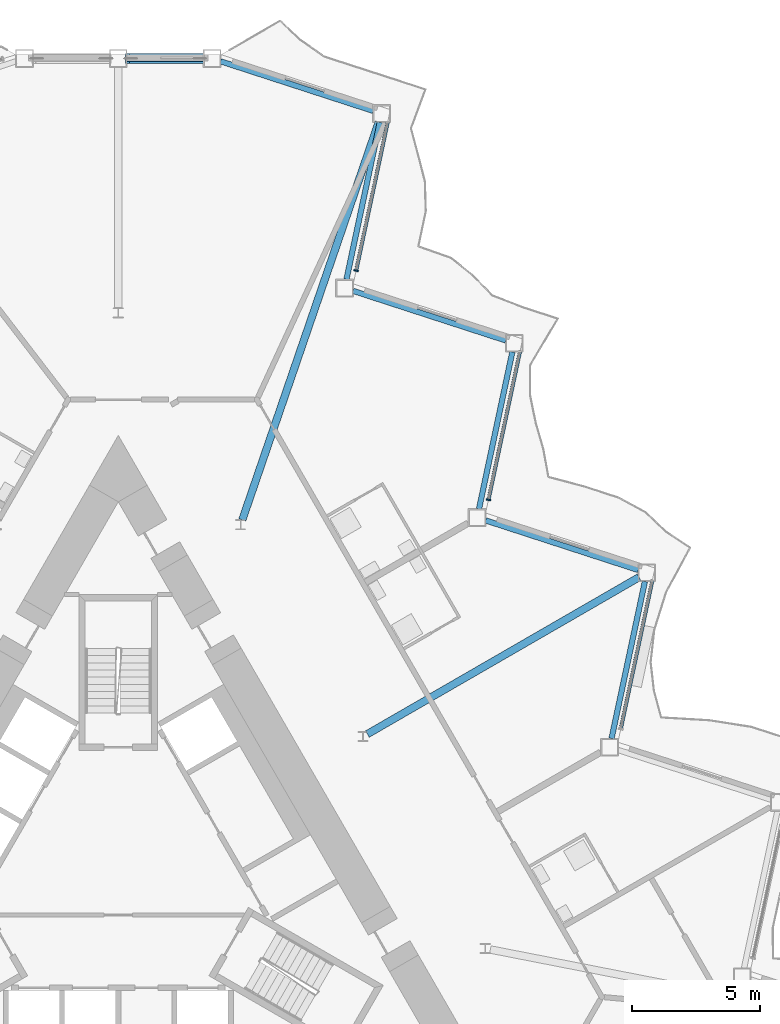
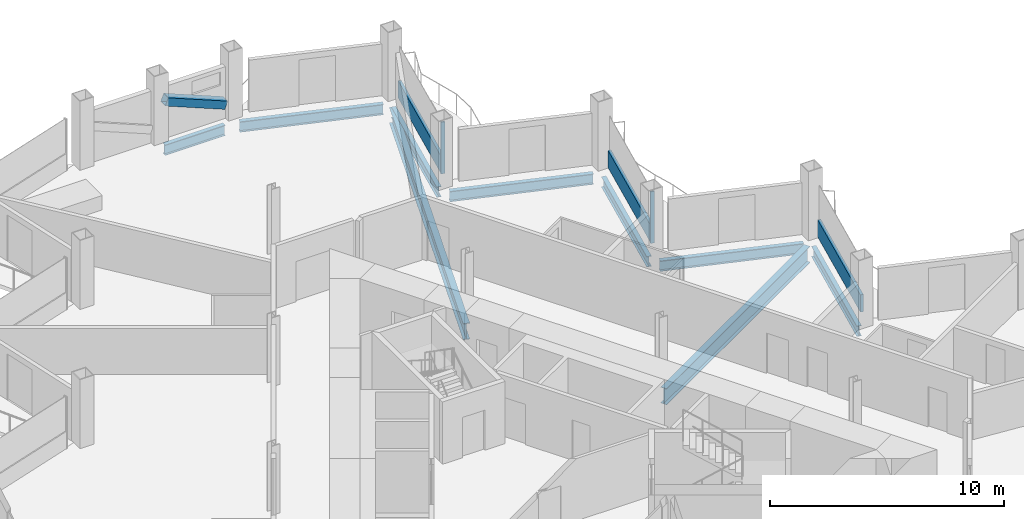
# One storey, part 9 of 23: 9 beams, 6 members, 3 elements without a shape of their own.
"""IFC4 building model written with IfcOpenShell, lengths in metres."""

from ifc_helpers import new_model, si_unit, direction, frame, origin, origin_2d, place, context, subcontext, project, spatial, rectangle, hollow_rectangle, i_section, extrude, material, layer, layer_set, material_profile, profile_set, type_object, element, aggregate, save


model = new_model("IFC4")

# Units and contexts
model_context = context("Model", 3, precision=1e-05, world=origin(), true_north=direction((0.0, 1.0)))
body_context = subcontext(model_context, "Body", "Model", "MODEL_VIEW")
ifc_project = project(units=[si_unit("LENGTHUNIT", "METRE"), si_unit("AREAUNIT", "SQUARE_METRE"), si_unit("VOLUMEUNIT", "CUBIC_METRE"), si_unit("PLANEANGLEUNIT", "RADIAN"), si_unit("MASSUNIT", "GRAM", prefix="KILO")], contexts=[model_context])

# Site, building, storey
site_placement = place(None, origin())
site = spatial("IfcSite", under=ifc_project, at=site_placement, CompositionType="ELEMENT")
building_placement = place(site_placement, origin())
building = spatial("IfcBuilding", under=site, at=building_placement, Name="Cormorant Prow Tower", CompositionType="ELEMENT")
storey_placement = place(building_placement, frame((0.0, 0.0, 256.199951171875)))
storey = spatial("IfcBuildingStorey", under=building, at=storey_placement, Name="L57", CompositionType="ELEMENT", Elevation=256.199951171875)

# Member
ifc_material_1 = material(Name="Structural steel ASTM A500 Gr C", Category="steel")
ifc_material_profile_1 = material_profile(ifc_material_1, hollow_rectangle(XDim=0.406494140625, YDim=0.406494140625, WallThickness=0.01171875, at=origin_2d()), Name="HSS16x16x1/2")
ifc_profile_set_1 = profile_set([ifc_material_profile_1], Name="Structural steel ASTM A500 Gr C")
member_type_1 = type_object("IfcMemberType", Name="Chamfer brace HSS16x16x1/2", PredefinedType="BRACE", material=ifc_profile_set_1)
member_1_placement = place(storey_placement, frame((3.3046875, 32.073486328125, 0.74951171875), z_axis=(-0.925591042089, 0.0, 0.37852506232), x_axis=(0.0, -1.0, 0.0)))
element("IfcMember", 1, at=member_1_placement, inside=storey, type_object=member_type_1, Name="Chamfer brace BR2 at N00 L57", PredefinedType="BRACE", context=body_context, shape_type="SweptSolid", body=[
    extrude(hollow_rectangle(XDim=0.406494140625, YDim=0.406494140625, WallThickness=0.01171875, at=origin_2d()), origin(), (0.0, 0.0, 1.0), 3.17529296875),
])

# Curtain wall, member
ifc_material_2 = material(Name="Aluminium 6063-T6", Category="aluminium")
ifc_layer = layer(ifc_material_2, 0.179931640625)
ifc_layer_set = layer_set([ifc_layer], Name="Aluminium 6063-T6")
curtain_wall_type = type_object("IfcCurtainWallType", Name="Hotel unitised curtain wall 180", PredefinedType="NOTDEFINED", material=ifc_layer_set)
curtain_wall_1_placement = place(storey_placement, origin())
curtain_wall_1 = element("IfcCurtainWall", 2, at=curtain_wall_1_placement, inside=storey, type_object=curtain_wall_type, Name="Hotel curtain wall ENE06", PredefinedType="NOTDEFINED")
ifc_material_3 = material(Name="Aluminium 6063-T6", Category="aluminium")
ifc_material_profile_2 = material_profile(ifc_material_3, rectangle(XDim=0.179931640625, YDim=0.06005859375, at=origin_2d()), Name="Hotel mullion 60x180")
ifc_profile_set_2 = profile_set([ifc_material_profile_2], Name="Aluminium 6063-T6")
member_type_2 = type_object("IfcMemberType", Name="Hotel mullion 60x180", PredefinedType="MULLION", material=ifc_profile_set_2)
member_2_placement = place(storey_placement, frame((14.489013671875, 14.8017578125, 0.0), z_axis=(0.0, 0.0, 1.0), x_axis=(-0.978147572038, 0.207911825822, 0.0)))
member_2 = element("IfcMember", 3, at=member_2_placement, type_object=member_type_2, Name="Hotel mullion ENE06", PredefinedType="MULLION", context=body_context, shape_type="SweptSolid", body=[
    extrude(rectangle(XDim=0.179931640625, YDim=0.06005859375, at=origin_2d()), origin(), (0.0, 0.0, 1.0), 2.700927734375),
])

curtain_wall_2_placement = place(storey_placement, origin())
curtain_wall_2 = element("IfcCurtainWall", 4, at=curtain_wall_2_placement, inside=storey, type_object=curtain_wall_type, Name="Hotel curtain wall ENE08", PredefinedType="NOTDEFINED")
member_3_placement = place(storey_placement, frame((9.3095703125, 23.77294921875, 0.0), z_axis=(0.0, 0.0, 1.0), x_axis=(-0.978147601216, 0.207911688547, 0.0)))
member_3 = element("IfcMember", 5, at=member_3_placement, type_object=member_type_2, Name="Hotel mullion ENE08", PredefinedType="MULLION", context=body_context, shape_type="SweptSolid", body=[
    extrude(rectangle(XDim=0.179931640625, YDim=0.06005859375, at=origin_2d()), origin(), (0.0, 0.0, 1.0), 2.700927734375),
])

curtain_wall_3_placement = place(storey_placement, origin())
curtain_wall_3 = element("IfcCurtainWall", 6, at=curtain_wall_3_placement, inside=storey, type_object=curtain_wall_type, Name="Hotel curtain wall ENE04", PredefinedType="NOTDEFINED")
ifc_material_4 = material(Name="Terracotta", Category="masonry")
ifc_material_profile_3 = material_profile(ifc_material_4, rectangle(XDim=0.139892578125, YDim=0.89990234375, at=origin_2d()), Name="Hotel terracotta spandrel rail 140x900")
ifc_profile_set_3 = profile_set([ifc_material_profile_3], Name="Terracotta")
member_type_3 = type_object("IfcMemberType", Name="Hotel terracotta spandrel rail 140x900", PredefinedType="USERDEFINED", material=ifc_profile_set_3)
member_4_placement = place(storey_placement, frame((19.6748046875, 5.85986328125, 0.449951171875), z_axis=(0.20791164107, 0.978147611308, 0.0), x_axis=(-0.978147611308, 0.20791164107, 0.0)))
member_4 = element("IfcMember", 7, at=member_4_placement, type_object=member_type_3, Name="Hotel spandrel rail ENE04", ObjectType="TRANSOM", PredefinedType="USERDEFINED", context=body_context, shape_type="SweptSolid", body=[
    extrude(rectangle(XDim=0.139892578125, YDim=0.89990234375, at=origin_2d()), origin(), (0.0, 0.0, 1.0), 5.90771484375),
])
aggregate(curtain_wall_3, [member_4])

# Member
member_5_placement = place(storey_placement, frame((14.495361328125, 14.8310546875, 0.449951171875), z_axis=(0.20791164107, 0.978147611308, 0.0), x_axis=(-0.978147611308, 0.20791164107, 0.0)))
member_5 = element("IfcMember", 8, at=member_5_placement, type_object=member_type_3, Name="Hotel spandrel rail ENE06", ObjectType="TRANSOM", PredefinedType="USERDEFINED", context=body_context, shape_type="SweptSolid", body=[
    extrude(rectangle(XDim=0.139892578125, YDim=0.89990234375, at=origin_2d()), origin(), (0.0, 0.0, 1.0), 5.90771484375),
])

aggregate(curtain_wall_1, [member_2, member_5])

member_6_placement = place(storey_placement, frame((9.31591796875, 23.80224609375, 0.449951171875), z_axis=(0.20791164107, 0.978147611308, 0.0), x_axis=(-0.978147611308, 0.20791164107, 0.0)))
member_6 = element("IfcMember", 9, at=member_6_placement, type_object=member_type_3, Name="Hotel spandrel rail ENE08", ObjectType="TRANSOM", PredefinedType="USERDEFINED", context=body_context, shape_type="SweptSolid", body=[
    extrude(rectangle(XDim=0.139892578125, YDim=0.89990234375, at=origin_2d()), origin(), (0.0, 0.0, 1.0), 5.90771484375),
])

aggregate(curtain_wall_2, [member_3, member_6])

# Beams
ifc_material_5 = material(Name="Structural steel ASTM A992 Gr 50", Category="steel")
ifc_material_profile_4 = material_profile(ifc_material_5, i_section(OverallWidth=0.29296875, OverallDepth=0.845703125, WebThickness=0.015380859375, FlangeThickness=0.0244140625, at=origin_2d()), Name="W33x141")
ifc_profile_set_4 = profile_set([ifc_material_profile_4], Name="Structural steel ASTM A992 Gr 50")
beam_type_1 = type_object("IfcBeamType", Name="Radial floor beam W33x141", PredefinedType="BEAM", material=ifc_profile_set_4)
beam_1_placement = place(storey_placement, frame((9.751220703125, 5.6298828125, -0.77294921875), z_axis=(0.866021995826, 0.500005902711, 0.0), x_axis=(-0.500005902711, 0.866021995826, 0.0)))
element("IfcBeam", 10, at=beam_1_placement, inside=storey, type_object=beam_type_1, Name="Radial floor beam FB2 11 L57", PredefinedType="BEAM", context=body_context, shape_type="SweptSolid", body=[
    extrude(i_section(OverallWidth=0.29296875, OverallDepth=0.845703125, WebThickness=0.015380859375, FlangeThickness=0.0244140625, at=origin_2d()), origin(), (0.0, 0.0, 1.0), 12.277099609375),
])
beam_2_placement = place(storey_placement, frame((4.85400390625, 14.013916015625, -0.77294921875), z_axis=(0.324535507117, 0.945873514071, 0.0), x_axis=(-0.945873514071, 0.324535507117, 0.0)))
element("IfcBeam", 11, at=beam_2_placement, inside=storey, type_object=beam_type_1, Name="Radial floor beam FB2 12 L57", PredefinedType="BEAM", context=body_context, shape_type="SweptSolid", body=[
    extrude(i_section(OverallWidth=0.29296875, OverallDepth=0.845703125, WebThickness=0.015380859375, FlangeThickness=0.0244140625, at=origin_2d()), origin(), (0.0, 0.0, 1.0), 16.462158203125),
])
ifc_material_6 = material(Name="Structural steel ASTM A992 Gr 50", Category="steel")
ifc_material_profile_5 = material_profile(ifc_material_6, i_section(OverallWidth=0.2138671875, OverallDepth=0.549072265625, WebThickness=0.0146484375, FlangeThickness=0.023681640625, at=origin_2d()), Name="W21x93")
ifc_profile_set_5 = profile_set([ifc_material_profile_5], Name="Structural steel ASTM A992 Gr 50")
beam_type_2 = type_object("IfcBeamType", Name="Spandrel beam W21x93", PredefinedType="SPANDREL", material=ifc_profile_set_5)
beam_3_placement = place(storey_placement, frame((19.307861328125, 5.456787109375, -0.62451171875), z_axis=(0.207933593793, 0.978142944856, 0.0), x_axis=(-0.978142944856, 0.207933593793, 0.0)))
element("IfcBeam", 12, at=beam_3_placement, inside=storey, type_object=beam_type_2, Name="Spandrel beam SB2 ENE04-ENE05 L57", PredefinedType="SPANDREL", context=body_context, shape_type="SweptSolid", body=[
    extrude(i_section(OverallWidth=0.2138671875, OverallDepth=0.549072265625, WebThickness=0.0146484375, FlangeThickness=0.023681640625, at=origin_2d()), origin(), (0.0, 0.0, 1.0), 6.281494140625),
])
beam_4_placement = place(storey_placement, frame((20.353759765625, 12.051513671875, -0.62451171875), z_axis=(-0.951050348284, 0.309035976918, 0.0), x_axis=(-0.309035976918, -0.951050348284, 0.0)))
element("IfcBeam", 13, at=beam_4_placement, inside=storey, type_object=beam_type_2, Name="Spandrel beam SB2 ENE05-ENE06 L57", PredefinedType="SPANDREL", context=body_context, shape_type="SweptSolid", body=[
    extrude(i_section(OverallWidth=0.2138671875, OverallDepth=0.549072265625, WebThickness=0.0146484375, FlangeThickness=0.023681640625, at=origin_2d()), origin(), (0.0, 0.0, 1.0), 6.28125),
])
beam_5_placement = place(storey_placement, frame((14.11962890625, 14.443115234375, -0.62451171875), z_axis=(0.207933593793, 0.978142944856, 0.0), x_axis=(-0.978142944856, 0.207933593793, 0.0)))
element("IfcBeam", 14, at=beam_5_placement, inside=storey, type_object=beam_type_2, Name="Spandrel beam SB2 ENE06-ENE07 L57", PredefinedType="SPANDREL", context=body_context, shape_type="SweptSolid", body=[
    extrude(i_section(OverallWidth=0.2138671875, OverallDepth=0.549072265625, WebThickness=0.0146484375, FlangeThickness=0.023681640625, at=origin_2d()), origin(), (0.0, 0.0, 1.0), 6.281494140625),
])
beam_6_placement = place(storey_placement, frame((15.16552734375, 21.037841796875, -0.62451171875), z_axis=(-0.951050348284, 0.309035976918, 0.0), x_axis=(-0.309035976918, -0.951050348284, 0.0)))
element("IfcBeam", 15, at=beam_6_placement, inside=storey, type_object=beam_type_2, Name="Spandrel beam SB2 ENE07-ENE08 L57", PredefinedType="SPANDREL", context=body_context, shape_type="SweptSolid", body=[
    extrude(i_section(OverallWidth=0.2138671875, OverallDepth=0.549072265625, WebThickness=0.0146484375, FlangeThickness=0.023681640625, at=origin_2d()), origin(), (0.0, 0.0, 1.0), 6.28125),
])
for number, where, z_axis, x_axis, name in (
    (16, (8.931396484375, 23.429443359375, -0.62451171875), (0.207896407679, 0.97815084914, 0.0), (-0.97815084914, 0.207896407679, 0.0), "Spandrel beam SB2 ENE08-ENE09 L57"),
    (17, (9.977294921875, 30.024169921875, -0.62451171875), (-0.951054060056, 0.309024553801, 0.0), (-0.309024553801, -0.951054060056, 0.0), "Spandrel beam SB2 ENE09-N00 L57"),
):
    element("IfcBeam", number, at=place(storey_placement, frame(where, z_axis=z_axis, x_axis=x_axis)), inside=storey, type_object=beam_type_2, Name=name, PredefinedType="SPANDREL", context=body_context, shape_type="SweptSolid", body=[
        extrude(i_section(OverallWidth=0.2138671875, OverallDepth=0.549072265625, WebThickness=0.0146484375, FlangeThickness=0.023681640625, at=origin_2d()), origin(), (0.0, 0.0, 1.0), 6.281494140625),
    ])
beam_7_placement = place(storey_placement, frame((3.3203125, 32.073486328125, -0.62451171875), z_axis=(-1.0, 0.0, 0.0), x_axis=(0.0, -1.0, 0.0)))
element("IfcBeam", 18, at=beam_7_placement, inside=storey, type_object=beam_type_2, Name="Spandrel beam SB2 N00-N01 L57", PredefinedType="SPANDREL", context=body_context, shape_type="SweptSolid", body=[
    extrude(i_section(OverallWidth=0.2138671875, OverallDepth=0.549072265625, WebThickness=0.0146484375, FlangeThickness=0.023681640625, at=origin_2d()), origin(), (0.0, 0.0, 1.0), 2.97021484375),
])

save(model, "model.ifc")
